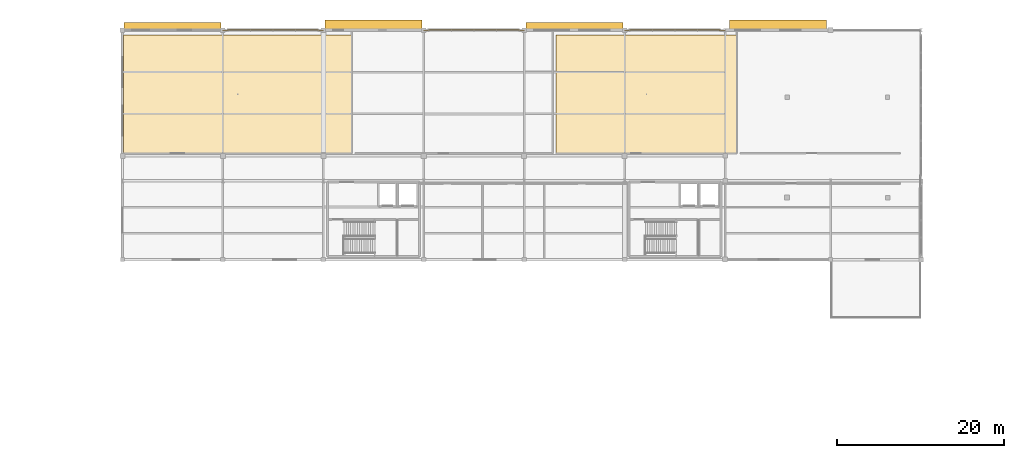
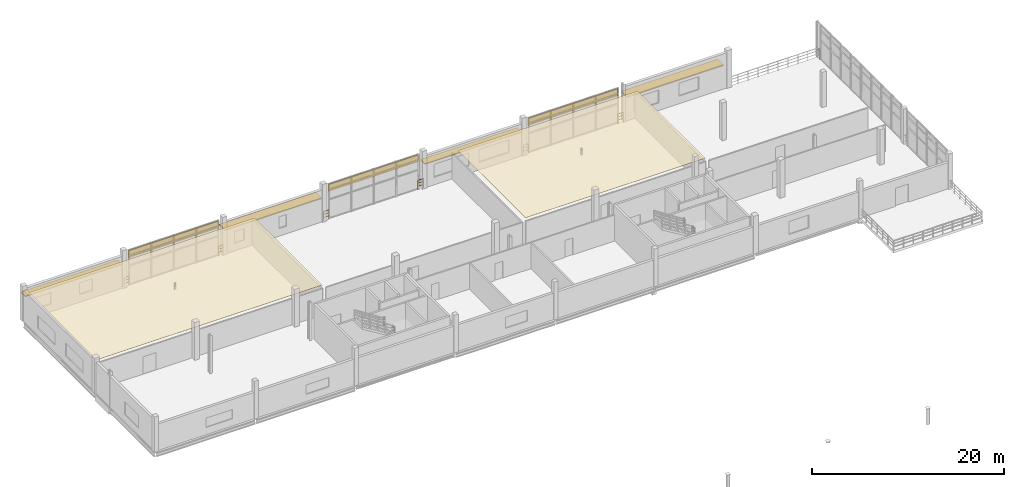
# One storey, part 51 of 52: 6 railings, 5 coverings, 4 shading devices.
"""IFC4 building model written with IfcOpenShell, lengths in metres."""

from ifc_helpers import new_model, si_unit, direction, frame, origin, origin_2d, place, context, subcontext, project, spatial, rectangle, circle, extrude, material, layer, layer_set, type_object, element, save


model = new_model("IFC4")

# Units and contexts
model_context = context("Model", 3, precision=1e-05, world=origin(), true_north=direction((0.0, 1.0)))
body_context = subcontext(model_context, "Body", "Model", "MODEL_VIEW")
ifc_project = project(units=[si_unit("LENGTHUNIT", "METRE"), si_unit("AREAUNIT", "SQUARE_METRE"), si_unit("VOLUMEUNIT", "CUBIC_METRE"), si_unit("PLANEANGLEUNIT", "RADIAN"), si_unit("MASSUNIT", "GRAM", prefix="KILO"), si_unit("THERMODYNAMICTEMPERATUREUNIT", "KELVIN"), si_unit("POWERUNIT", "WATT")], contexts=[model_context])

# Site, building, storey
site_placement = place(None, origin())
site = spatial("IfcSite", under=ifc_project, at=site_placement, CompositionType="ELEMENT")
building_placement = place(site_placement, origin())
building = spatial("IfcBuilding", under=site, at=building_placement, Name="Solmara Park Aquatics Centre", CompositionType="ELEMENT")
storey_placement = place(building_placement, frame((0.0, 0.0, 9.60009765625)))
storey = spatial("IfcBuildingStorey", under=building, at=storey_placement, Name="L02", CompositionType="ELEMENT", Elevation=9.60009765625)

# Coverings
ifc_material_1 = material(Name="Perforated Anodised Bronze Solar Screen", Category="aluminium")
ifc_layer_1 = layer(ifc_material_1, 0.1201171875, Name="Perforated Anodised Bronze Solar Screen")
ifc_layer_set_1 = layer_set([ifc_layer_1], Name="Perforated Anodised Bronze Solar Screen")
covering_type_1 = type_object("IfcCoveringType", Name="ARC-COV-BRONZE", PredefinedType="CLADDING", material=ifc_layer_set_1)
for number, where, z_axis, x_axis, name in (
    (1, (42.60009765625, 136.050048828125, 3.449951171875), (0.0, 0.0, 1.0), (1.0, 0.0, 0.0), "Perforated Bronze Solar Screen 007"),
    (2, (66.60009765625, 136.050048828125, 3.449951171875), (0.0, 0.0, 1.0), (1.0, 0.0, 0.0), "Perforated Bronze Solar Screen 008"),
    (3, (90.60009765625, 136.050048828125, 3.449951171875), (0.0, 0.0, 1.0), (1.0, 0.0, 0.0), "Perforated Bronze Solar Screen 009"),
):
    element("IfcCovering", number, at=place(storey_placement, frame(where, z_axis=z_axis, x_axis=x_axis)), inside=storey, type_object=covering_type_1, Name=name, PredefinedType="CLADDING", context=body_context, shape_type="SweptSolid", body=[
        extrude(rectangle(XDim=10.800048828125, YDim=0.1201171875, at=origin_2d()), origin(), (0.0, 0.0, 1.0), 0.89990234375),
    ])
ifc_material_2 = material(Name="Moisture-Resistant Perforated Acoustic Gypsum Ceiling", Category="gypsum")
ifc_layer_2 = layer(ifc_material_2, 0.0400390625, Name="Moisture-Resistant Perforated Acoustic Gypsum Ceiling")
ifc_layer_set_2 = layer_set([ifc_layer_2], Name="Moisture-Resistant Perforated Acoustic Gypsum Ceiling")
covering_type_2 = type_object("IfcCoveringType", Name="ARC-COV-CEIL", PredefinedType="CEILING", material=ifc_layer_set_2)
covering_1_placement = place(storey_placement, frame((38.375, 128.35009765625, 3.679931640625), z_axis=(0.0, 0.0, 1.0), x_axis=(1.0, 0.0, 0.0)))
element("IfcCovering", 4, at=covering_1_placement, inside=storey, type_object=covering_type_2, Name="Acoustic Suspended Ceiling L02-PHY-01", PredefinedType="CEILING", context=body_context, shape_type="SweptSolid", body=[
    extrude(rectangle(XDim=27.25, YDim=14.10009765625, at=origin_2d()), origin(), (0.0, 0.0, 1.0), 0.0400390625),
])
covering_2_placement = place(storey_placement, frame((87.199951171875, 128.35009765625, 3.679931640625), z_axis=(0.0, 0.0, 1.0), x_axis=(1.0, 0.0, 0.0)))
element("IfcCovering", 5, at=covering_2_placement, inside=storey, type_object=covering_type_2, Name="Acoustic Suspended Ceiling L02-BIO-01", PredefinedType="CEILING", context=body_context, shape_type="SweptSolid", body=[
    extrude(rectangle(XDim=21.60009765625, YDim=14.10009765625, at=origin_2d()), origin(), (0.0, 0.0, 1.0), 0.0400390625),
])

# Railings
ifc_material_3 = material(Name="Toughened Glass and Stainless Steel Stand Guardrail", Category="steel")
ifc_layer_3 = layer(ifc_material_3, 0.06005859375, Name="Toughened Glass and Stainless Steel Stand Guardrail")
ifc_layer_set_3 = layer_set([ifc_layer_3], Name="Toughened Glass and Stainless Steel Stand Guardrail")
railing_type = type_object("IfcRailingType", Name="ARC-RL-STD110", PredefinedType="GUARDRAIL", material=ifc_layer_set_3)
railing_1_placement = place(storey_placement, frame((36.60009765625, 135.93994140625, 0.0)))
element("IfcRailing", 6, at=railing_1_placement, inside=storey, type_object=railing_type, Name="L02 Slab Edge Guardrail 095", PredefinedType="GUARDRAIL", context=body_context, shape_type="SweptSolid", body=[
    extrude(circle(Radius=0.02392578125, at=origin_2d()), frame((0.0, 0.0, 1.15576171875), z_axis=(1.0, 0.0, 0.0), x_axis=(0.0, 1.0, 0.0)), (0.0, 0.0, 1.0), 0.619873046875),
    extrude(circle(Radius=0.01416015625, at=origin_2d()), frame((0.0, 0.0, 0.4130859375), z_axis=(1.0, 0.0, 0.0), x_axis=(0.0, 1.0, 0.0)), (0.0, 0.0, 1.0), 0.619873046875),
    extrude(circle(Radius=0.01416015625, at=origin_2d()), frame((0.0, 0.0, 0.80224609375), z_axis=(1.0, 0.0, 0.0), x_axis=(0.0, 1.0, 0.0)), (0.0, 0.0, 1.0), 0.619873046875),
    extrude(circle(Radius=0.02099609375, at=origin_2d()), origin(), (0.0, 0.0, 1.0), 1.1318359375),
    extrude(circle(Radius=0.02099609375, at=origin_2d()), frame((0.619873046875, 0.0, 0.0)), (0.0, 0.0, 1.0), 1.1318359375),
])
railing_2_placement = place(storey_placement, frame((47.93994140625, 135.93994140625, 0.0)))
element("IfcRailing", 7, at=railing_2_placement, inside=storey, type_object=railing_type, Name="L02 Slab Edge Guardrail 096", PredefinedType="GUARDRAIL", context=body_context, shape_type="SweptSolid", body=[
    extrude(circle(Radius=0.02392578125, at=origin_2d()), frame((0.0, 0.0, 1.15576171875), z_axis=(1.0, 0.0, 0.0), x_axis=(0.0, 1.0, 0.0)), (0.0, 0.0, 1.0), 0.66015625),
    extrude(circle(Radius=0.01416015625, at=origin_2d()), frame((0.0, 0.0, 0.4130859375), z_axis=(1.0, 0.0, 0.0), x_axis=(0.0, 1.0, 0.0)), (0.0, 0.0, 1.0), 0.66015625),
    extrude(circle(Radius=0.01416015625, at=origin_2d()), frame((0.0, 0.0, 0.80224609375), z_axis=(1.0, 0.0, 0.0), x_axis=(0.0, 1.0, 0.0)), (0.0, 0.0, 1.0), 0.66015625),
    extrude(circle(Radius=0.02099609375, at=origin_2d()), origin(), (0.0, 0.0, 1.0), 1.1318359375),
    extrude(circle(Radius=0.02099609375, at=origin_2d()), frame((0.66015625, 0.0, 0.0)), (0.0, 0.0, 1.0), 1.1318359375),
])
railing_3_placement = place(storey_placement, frame((60.60009765625, 135.93994140625, 0.0)))
element("IfcRailing", 8, at=railing_3_placement, inside=storey, type_object=railing_type, Name="L02 Slab Edge Guardrail 097", PredefinedType="GUARDRAIL", context=body_context, shape_type="SweptSolid", body=[
    extrude(circle(Radius=0.02392578125, at=origin_2d()), frame((0.0, 0.0, 1.15576171875), z_axis=(1.0, 0.0, 0.0), x_axis=(0.0, 1.0, 0.0)), (0.0, 0.0, 1.0), 0.619873046875),
    extrude(circle(Radius=0.01416015625, at=origin_2d()), frame((0.0, 0.0, 0.4130859375), z_axis=(1.0, 0.0, 0.0), x_axis=(0.0, 1.0, 0.0)), (0.0, 0.0, 1.0), 0.619873046875),
    extrude(circle(Radius=0.01416015625, at=origin_2d()), frame((0.0, 0.0, 0.80224609375), z_axis=(1.0, 0.0, 0.0), x_axis=(0.0, 1.0, 0.0)), (0.0, 0.0, 1.0), 0.619873046875),
    extrude(circle(Radius=0.02099609375, at=origin_2d()), origin(), (0.0, 0.0, 1.0), 1.1318359375),
    extrude(circle(Radius=0.02099609375, at=origin_2d()), frame((0.619873046875, 0.0, 0.0)), (0.0, 0.0, 1.0), 1.1318359375),
])
railing_4_placement = place(storey_placement, frame((71.93994140625, 135.93994140625, 0.0)))
element("IfcRailing", 9, at=railing_4_placement, inside=storey, type_object=railing_type, Name="L02 Slab Edge Guardrail 098", PredefinedType="GUARDRAIL", context=body_context, shape_type="SweptSolid", body=[
    extrude(circle(Radius=0.02392578125, at=origin_2d()), frame((0.0, 0.0, 1.15576171875), z_axis=(1.0, 0.0, 0.0), x_axis=(0.0, 1.0, 0.0)), (0.0, 0.0, 1.0), 0.66015625),
    extrude(circle(Radius=0.01416015625, at=origin_2d()), frame((0.0, 0.0, 0.4130859375), z_axis=(1.0, 0.0, 0.0), x_axis=(0.0, 1.0, 0.0)), (0.0, 0.0, 1.0), 0.66015625),
    extrude(circle(Radius=0.01416015625, at=origin_2d()), frame((0.0, 0.0, 0.80224609375), z_axis=(1.0, 0.0, 0.0), x_axis=(0.0, 1.0, 0.0)), (0.0, 0.0, 1.0), 0.66015625),
    extrude(circle(Radius=0.02099609375, at=origin_2d()), origin(), (0.0, 0.0, 1.0), 1.1318359375),
    extrude(circle(Radius=0.02099609375, at=origin_2d()), frame((0.66015625, 0.0, 0.0)), (0.0, 0.0, 1.0), 1.1318359375),
])
railing_5_placement = place(storey_placement, frame((84.60009765625, 135.93994140625, 0.0)))
element("IfcRailing", 10, at=railing_5_placement, inside=storey, type_object=railing_type, Name="L02 Slab Edge Guardrail 099", PredefinedType="GUARDRAIL", context=body_context, shape_type="SweptSolid", body=[
    extrude(circle(Radius=0.02392578125, at=origin_2d()), frame((0.0, 0.0, 1.15576171875), z_axis=(1.0, 0.0, 0.0), x_axis=(0.0, 1.0, 0.0)), (0.0, 0.0, 1.0), 0.619873046875),
    extrude(circle(Radius=0.01416015625, at=origin_2d()), frame((0.0, 0.0, 0.4130859375), z_axis=(1.0, 0.0, 0.0), x_axis=(0.0, 1.0, 0.0)), (0.0, 0.0, 1.0), 0.619873046875),
    extrude(circle(Radius=0.01416015625, at=origin_2d()), frame((0.0, 0.0, 0.80224609375), z_axis=(1.0, 0.0, 0.0), x_axis=(0.0, 1.0, 0.0)), (0.0, 0.0, 1.0), 0.619873046875),
    extrude(circle(Radius=0.02099609375, at=origin_2d()), origin(), (0.0, 0.0, 1.0), 1.1318359375),
    extrude(circle(Radius=0.02099609375, at=origin_2d()), frame((0.619873046875, 0.0, 0.0)), (0.0, 0.0, 1.0), 1.1318359375),
])
railing_6_placement = place(storey_placement, frame((95.93994140625, 135.93994140625, 0.0)))
element("IfcRailing", 11, at=railing_6_placement, inside=storey, type_object=railing_type, Name="L02 Slab Edge Guardrail 100", PredefinedType="GUARDRAIL", context=body_context, shape_type="SweptSolid", body=[
    extrude(circle(Radius=0.02392578125, at=origin_2d()), frame((0.0, 0.0, 1.15576171875), z_axis=(1.0, 0.0, 0.0), x_axis=(0.0, 1.0, 0.0)), (0.0, 0.0, 1.0), 0.66015625),
    extrude(circle(Radius=0.01416015625, at=origin_2d()), frame((0.0, 0.0, 0.4130859375), z_axis=(1.0, 0.0, 0.0), x_axis=(0.0, 1.0, 0.0)), (0.0, 0.0, 1.0), 0.66015625),
    extrude(circle(Radius=0.01416015625, at=origin_2d()), frame((0.0, 0.0, 0.80224609375), z_axis=(1.0, 0.0, 0.0), x_axis=(0.0, 1.0, 0.0)), (0.0, 0.0, 1.0), 0.66015625),
    extrude(circle(Radius=0.02099609375, at=origin_2d()), origin(), (0.0, 0.0, 1.0), 1.1318359375),
    extrude(circle(Radius=0.02099609375, at=origin_2d()), frame((0.66015625, 0.0, 0.0)), (0.0, 0.0, 1.0), 1.1318359375),
])

# Shading devices
ifc_material_4 = material(Name="Anodised Bronze Aluminium", Category="aluminium")
shading_device_type_1 = type_object("IfcShadingDeviceType", Name="ARC-SHD-EYE1200", PredefinedType="USERDEFINED", material=ifc_material_4)
for number, where, z_axis, x_axis, name in (
    (12, (54.60009765625, 136.6201171875, 2.77978515625), (0.0, 0.0, 1.0), (1.0, 0.0, 0.0), "Streamline Sun-Shading Eyebrow 010"),
    (13, (102.89990234375, 136.6201171875, 2.77978515625), (0.0, 0.0, 1.0), (1.0, 0.0, 0.0), "Streamline Sun-Shading Eyebrow 012"),
):
    element("IfcShadingDevice", number, at=place(storey_placement, frame(where, z_axis=z_axis, x_axis=x_axis)), inside=storey, type_object=shading_device_type_1, Name=name, ObjectType="SUNSHADE", PredefinedType="USERDEFINED", context=body_context, shape_type="SweptSolid", body=[
        extrude(rectangle(XDim=11.60009765625, YDim=1.199951171875, at=origin_2d()), origin(), (0.0, 0.0, 1.0), 0.139892578125),
    ])
shading_device_type_2 = type_object("IfcShadingDeviceType", Name="ARC-SHD-EYE900", PredefinedType="USERDEFINED", material=ifc_material_4)
for number, where, z_axis, x_axis, name in (
    (14, (30.60009765625, 136.469970703125, 2.789794921875), (0.0, 0.0, 1.0), (1.0, 0.0, 0.0), "Streamline Sun-Shading Eyebrow 009"),
    (15, (78.60009765625, 136.469970703125, 2.789794921875), (0.0, 0.0, 1.0), (1.0, 0.0, 0.0), "Streamline Sun-Shading Eyebrow 011"),
):
    element("IfcShadingDevice", number, at=place(storey_placement, frame(where, z_axis=z_axis, x_axis=x_axis)), inside=storey, type_object=shading_device_type_2, Name=name, ObjectType="SUNSHADE", PredefinedType="USERDEFINED", context=body_context, shape_type="SweptSolid", body=[
        extrude(rectangle(XDim=11.60009765625, YDim=0.89990234375, at=origin_2d()), origin(), (0.0, 0.0, 1.0), 0.1201171875),
    ])

save(model, "model.ifc")
